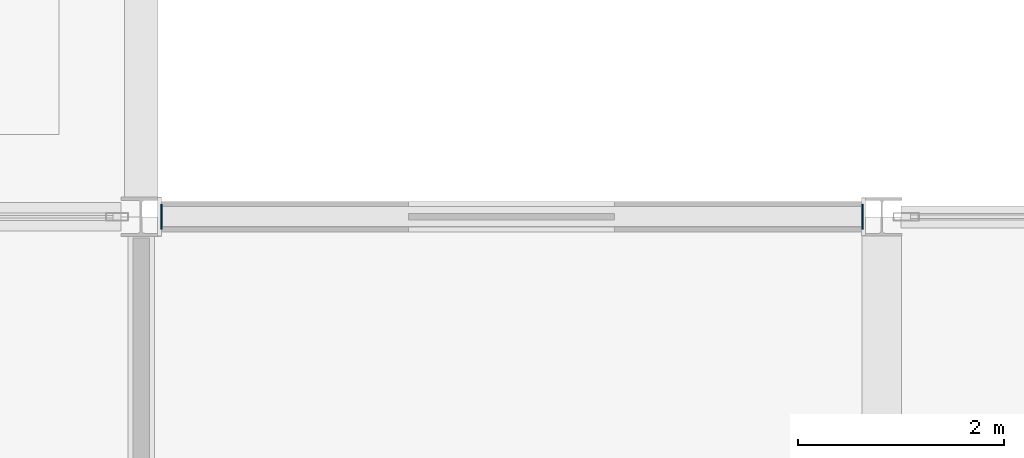
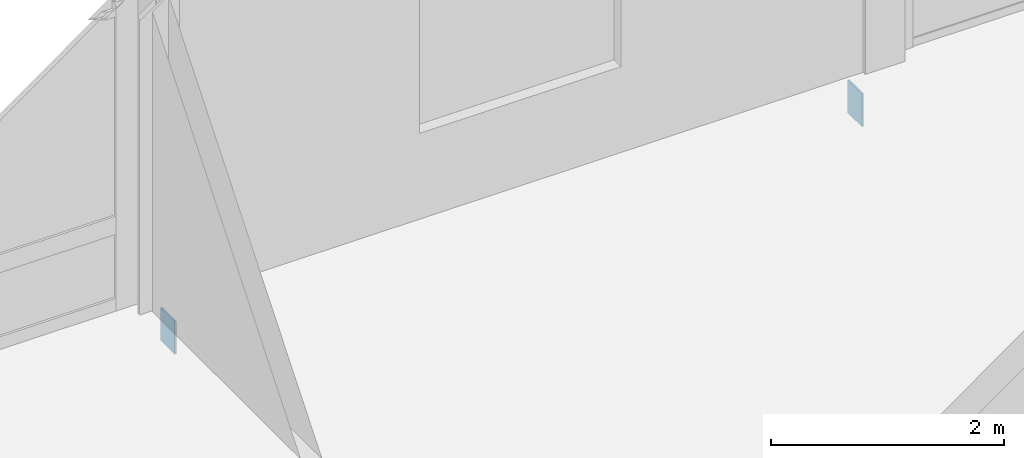
# One storey, part 118 of 153: 2 plates.
"""IFC4 building model written with IfcOpenShell, lengths in metres."""

from ifc_helpers import new_model, si_unit, direction, frame, origin, origin_2d, place, context, subcontext, project, spatial, rectangle, extrude, material, layer, layer_set, type_object, element, save


model = new_model("IFC4")

# Units and contexts
model_context = context("Model", 3, precision=1e-05, world=origin(), true_north=direction((0.0, 1.0)))
body_context = subcontext(model_context, "Body", "Model", "MODEL_VIEW")
ifc_project = project(units=[si_unit("LENGTHUNIT", "METRE"), si_unit("AREAUNIT", "SQUARE_METRE"), si_unit("VOLUMEUNIT", "CUBIC_METRE"), si_unit("PLANEANGLEUNIT", "RADIAN"), si_unit("MASSUNIT", "GRAM", prefix="KILO")], contexts=[model_context])

# Site, building, storey
site_placement = place(None, origin())
site = spatial("IfcSite", under=ifc_project, at=site_placement, CompositionType="ELEMENT")
building_placement = place(site_placement, origin())
building = spatial("IfcBuilding", under=site, at=building_placement, Name="Calvrana Isthmian Art Gallery", CompositionType="ELEMENT")
storey_placement = place(building_placement, frame((0.0, 0.0, 10.199951171875)))
storey = spatial("IfcBuildingStorey", under=building, at=storey_placement, Name="L02", CompositionType="ELEMENT", Elevation=10.199951171875)

# Plates
ifc_material = material(Name="Steel ASTM A572 Gr 50", Category="steel")
ifc_layer = layer(ifc_material, 0.01611328125, Name="Steel ASTM A572 Gr 50")
ifc_layer_set = layer_set([ifc_layer], Name="Steel ASTM A572 Gr 50")
plate_type = type_object("IfcPlateType", Name="PL-CAP-16", PredefinedType="SHEET", material=ifc_layer_set)
for number, where, z_axis, x_axis, name in (
    (1, (120.197021484375, 46.800048828125, -0.589599609375), (0.0, 0.0, 1.0), (1.0, 0.0, 0.0), "Hollow section end cap plate 457"),
    (2, (127.013427734375, 46.800048828125, -0.589599609375), (0.0, 0.0, 1.0), (1.0, 0.0, 0.0), "Hollow section end cap plate 458"),
):
    element("IfcPlate", number, at=place(storey_placement, frame(where, z_axis=z_axis, x_axis=x_axis)), inside=storey, type_object=plate_type, Name=name, PredefinedType="SHEET", context=body_context, shape_type="SweptSolid", body=[
        extrude(rectangle(XDim=0.01611328125, YDim=0.2431640625, at=origin_2d()), origin(), (0.0, 0.0, 1.0), 0.3447265625),
    ])

save(model, "model.ifc")
